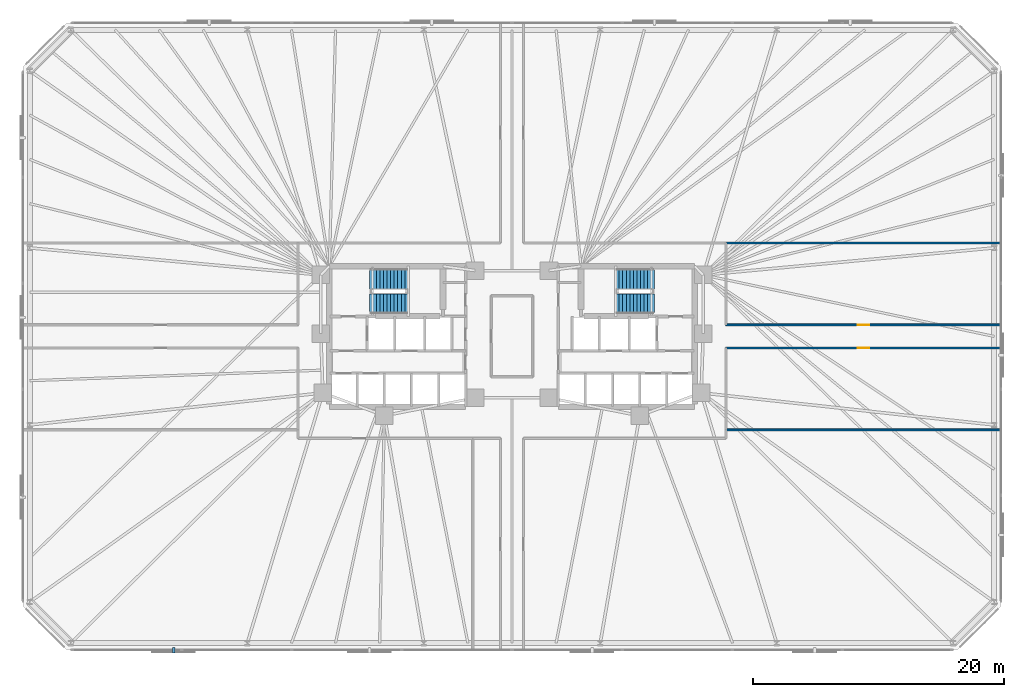
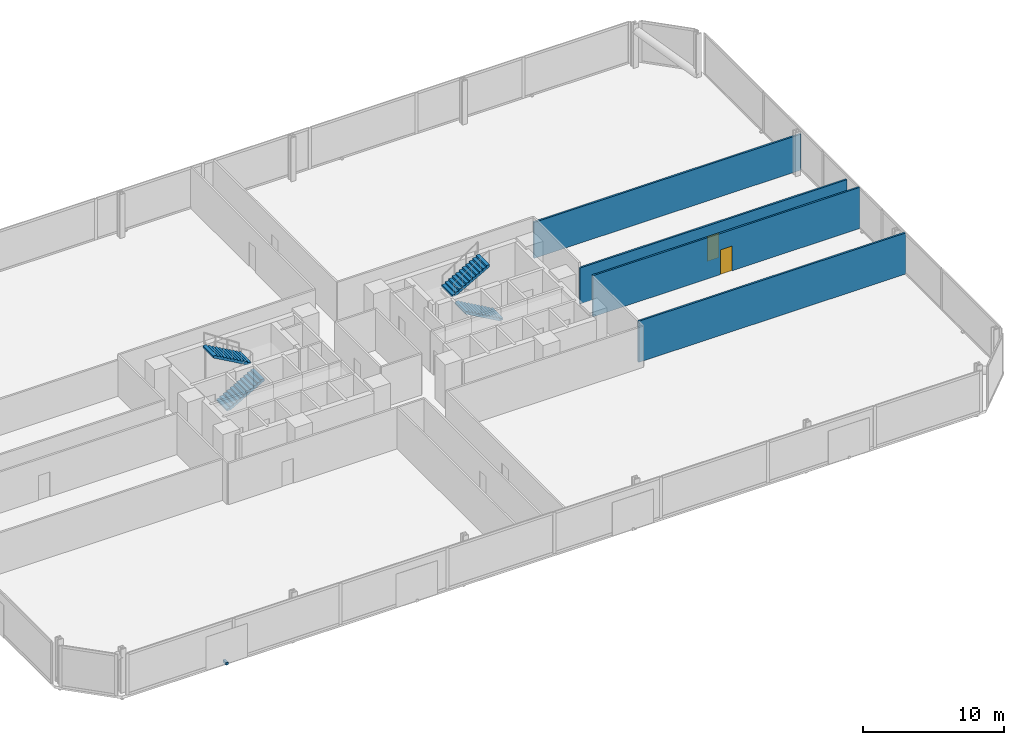
# One storey, part 14 of 16: 4 stair flights, 4 walls, 2 doors, 1 discrete accessory, 2 openings, 2 elements without a shape of their own.
"""IFC4 building model written with IfcOpenShell, lengths in metres."""

import ifcopenshell
import ifcopenshell.guid

model = None  # the IFC model being written
_history = None  # IfcOwnerHistory: only IFC2X3 demands one
_inside = {}  # id of a spatial element -> (the spatial element, [elements in it])
_under = {}  # id of a project, library or spatial element -> (it, [spatial elements below it])
_declared = {}  # id of a project -> (the project, [libraries it declares])
_typed = {}  # id of a type object -> (the type object, [elements of that type])
_made_of = {}  # id of a material, layer set ... -> (it, [elements and type objects made of it])


def new_model(schema):
    """Start an empty IFC model of exactly this schema.

    Asked for "IFC4X3", IfcOpenShell would pick the latest addendum, in which some entities
    have other attributes; the version numbers below select the first issue.
    IFC2X3 requires an IfcOwnerHistory on every rooted entity: one is made here for all.
    """
    global model, _history
    if schema == "IFC4X3":
        model = ifcopenshell.file(schema_version=(4, 3, 0, 0))
    else:
        model = ifcopenshell.file(schema=schema)
    _inside.clear()
    _under.clear()
    _declared.clear()
    _typed.clear()
    _made_of.clear()
    _history = None
    if model.schema == "IFC2X3":
        org = make("IfcOrganization", Name="unknown")
        user = make(
            "IfcPersonAndOrganization",
            ThePerson=make("IfcPerson", FamilyName="unknown"),
            TheOrganization=org,
        )
        app = make(
            "IfcApplication",
            ApplicationDeveloper=org,
            Version="unknown",
            ApplicationFullName="unknown",
            ApplicationIdentifier="unknown",
        )
        _history = make(
            "IfcOwnerHistory",
            OwningUser=user,
            OwningApplication=app,
            ChangeAction="ADDED",
            CreationDate=0,
        )
    return model


def make(cls, **values):
    """One entity of the class cls with the attributes given. An attribute that is None is left unset."""
    return model.create_entity(
        cls, **{name: value for name, value in values.items() if value is not None}
    )


def rooted(cls, **values):
    """An entity with a GlobalId (a new one), such as an element, a storey or a relation."""
    return make(cls, GlobalId=ifcopenshell.guid.new(), OwnerHistory=_history, **values)


def si_unit(unit_type, name, prefix=None):
    """IfcSIUnit, for example si_unit("LENGTHUNIT", "METRE", prefix="MILLI")."""
    return make("IfcSIUnit", UnitType=unit_type, Prefix=prefix, Name=name)


def assignment(units):
    """IfcUnitAssignment: the units of a project."""
    return None if units is None else make("IfcUnitAssignment", Units=units)


def point(xyz):
    """IfcCartesianPoint."""
    return None if xyz is None else make("IfcCartesianPoint", Coordinates=xyz)


def direction(xyz):
    """IfcDirection."""
    return None if xyz is None else make("IfcDirection", DirectionRatios=xyz)


def frame(location, z_axis=None, x_axis=None):
    """IfcAxis2Placement3D, a coordinate frame: its origin and axes. An axis left out is left unset."""
    return make(
        "IfcAxis2Placement3D",
        Location=point(location),
        Axis=direction(z_axis),
        RefDirection=direction(x_axis),
    )


def frame_2d(location, x_axis=None):
    """IfcAxis2Placement2D, a coordinate frame in the plane: its origin and x axis."""
    return make(
        "IfcAxis2Placement2D", Location=point(location), RefDirection=direction(x_axis)
    )


def origin():
    """The frame at (0, 0, 0) with its axes left unset."""
    return frame((0.0, 0.0, 0.0))


def origin_2d():
    """The frame at (0, 0) in the plane with its x axis left unset."""
    return frame_2d((0.0, 0.0))


def place(relative_to, where):
    """IfcLocalPlacement: puts the frame where relative to a parent placement (None: the world)."""
    return make(
        "IfcLocalPlacement", PlacementRelTo=relative_to, RelativePlacement=where
    )


def context(
    kind, dimensions, precision=None, world=None, true_north=None, identifier=None
):
    """IfcGeometricRepresentationContext, for example the 3D "Model" context."""
    return make(
        "IfcGeometricRepresentationContext",
        ContextIdentifier=identifier,
        ContextType=kind,
        CoordinateSpaceDimension=dimensions,
        Precision=precision,
        WorldCoordinateSystem=world,
        TrueNorth=true_north,
    )


def subcontext(parent, identifier, kind, view, scale=None):
    """IfcGeometricRepresentationSubContext, for example "Body" below "Model"."""
    return make(
        "IfcGeometricRepresentationSubContext",
        ContextIdentifier=identifier,
        ContextType=kind,
        ParentContext=parent,
        TargetScale=scale,
        TargetView=view,
    )


def project(units=None, contexts=None):
    """IfcProject with its units and contexts."""
    return rooted(
        "IfcProject",
        Name="project",
        RepresentationContexts=contexts,
        UnitsInContext=assignment(units),
    )


def spatial(cls, under=None, at=None, **own):
    """A site, building, storey or space (cls), placed at a placement, below another one or the project."""
    s = rooted(cls, ObjectPlacement=at, **own)
    if under is not None:
        _under.setdefault(under.id(), (under, []))[1].append(s)
    return s


def polyline(points):
    """IfcPolyline through the points."""
    return make("IfcPolyline", Points=[point(p) for p in points])


def profile(cls, at=None, kind="AREA", **sizes):
    """A parametric profile (cls). Its sizes go by their IFC names, for example OverallWidth=200.0."""
    return make(cls, ProfileType=kind, Position=at, **sizes)


def rectangle(**sizes):
    """IfcRectangleProfileDef."""
    return profile("IfcRectangleProfileDef", **sizes)


def outline(outer, holes=None, kind="AREA"):
    """IfcArbitraryClosedProfileDef: a profile drawn as a closed curve; with holes, ...WithVoids."""
    if holes is None:
        return make("IfcArbitraryClosedProfileDef", ProfileType=kind, OuterCurve=outer)
    return make(
        "IfcArbitraryProfileDefWithVoids",
        ProfileType=kind,
        OuterCurve=outer,
        InnerCurves=holes,
    )


def extrude(swept, where, along, depth):
    """IfcExtrudedAreaSolid: the profile swept, set in the frame where, extruded along a direction by depth."""
    return make(
        "IfcExtrudedAreaSolid",
        SweptArea=swept,
        Position=where,
        ExtrudedDirection=direction(along),
        Depth=depth,
    )


def shape(context_of_items, identifier, shape_type, items):
    """IfcShapeRepresentation: the items that make up one representation, for example the "Body"."""
    return make(
        "IfcShapeRepresentation",
        ContextOfItems=context_of_items,
        RepresentationIdentifier=identifier,
        RepresentationType=shape_type,
        Items=items,
    )


def material(Name=None, Category=None):
    """IfcMaterial."""
    return make("IfcMaterial", Name=Name, Category=Category)


def layer(
    of_material, thickness, ventilated=None, Name=None, Category=None, Priority=None
):
    """IfcMaterialLayer: one layer of a wall or slab, of a material (None: an air gap)."""
    return make(
        "IfcMaterialLayer",
        Material=of_material,
        LayerThickness=thickness,
        IsVentilated=ventilated,
        Name=Name,
        Category=Category,
        Priority=Priority,
    )


def layer_set(layers, Name=None):
    """IfcMaterialLayerSet."""
    return make("IfcMaterialLayerSet", MaterialLayers=layers, LayerSetName=Name)


def made_of(thing, what):
    """Note that an element or type object is made of a material, layer set ...; save() writes the relation."""
    if what is not None:
        _made_of.setdefault(what.id(), (what, []))[1].append(thing)
    return thing


def type_object(cls, material=None, **own):
    """A type object (cls), such as IfcWallType, which elements share."""
    return made_of(rooted(cls, **own), material)


def element(
    cls,
    number,
    at=None,
    inside=None,
    cuts=None,
    type_object=None,
    material=None,
    context=None,
    identifier="Body",
    shape_type=None,
    held_by="IfcProductDefinitionShape",
    body=None,
    shapes=None,
    **own,
):
    """One element of the class cls, such as IfcWall. Its Tag is "e" and its number.

    at: its placement. inside: the storey or other place that contains it. cuts: it is an
    opening in that element (IfcRelVoidsElement). A single representation is given by context,
    identifier, shape_type and body (its items); several are given by shapes. held_by: the class
    of the entity that holds the representations. save() writes the other relations.
    """
    e = rooted(cls, Tag="e%d" % number, ObjectPlacement=at, **own)
    if body is not None:
        shapes = [shape(context, identifier, shape_type, body)]
    if shapes is not None:
        e.Representation = make(held_by, Representations=shapes)
    if inside is not None:
        _inside.setdefault(inside.id(), (inside, []))[1].append(e)
    if cuts is not None:
        rooted(
            "IfcRelVoidsElement", RelatingBuildingElement=cuts, RelatedOpeningElement=e
        )
    if type_object is not None:
        _typed.setdefault(type_object.id(), (type_object, []))[1].append(e)
    return made_of(e, material)


def fill(opening, filler):
    """IfcRelFillsElement: the door or window that sits in an opening."""
    return rooted(
        "IfcRelFillsElement",
        RelatingOpeningElement=opening,
        RelatedBuildingElement=filler,
    )


def aggregate(whole, parts):
    """IfcRelAggregates: a whole, such as a stair, and the parts it consists of."""
    return rooted("IfcRelAggregates", RelatingObject=whole, RelatedObjects=parts)


def save(model, path):
    """Write the relations noted so far, then the file.

    IfcRelAggregates (storeys below a building ...), IfcRelContainedInSpatialStructure (elements
    in a storey), IfcRelDefinesByType, IfcRelAssociatesMaterial and IfcRelDeclares: one each for
    every whole, place, type object, material and project.
    """
    for whole, parts in _under.values():
        aggregate(whole, parts)
    for where, things in _inside.values():
        rooted(
            "IfcRelContainedInSpatialStructure",
            RelatedElements=things,
            RelatingStructure=where,
        )
    for kind, things in _typed.values():
        rooted("IfcRelDefinesByType", RelatedObjects=things, RelatingType=kind)
    for what, things in _made_of.values():
        rooted("IfcRelAssociatesMaterial", RelatedObjects=things, RelatingMaterial=what)
    for by, libraries in _declared.values():
        rooted("IfcRelDeclares", RelatingContext=by, RelatedDefinitions=libraries)
    model.write(path)


model = new_model("IFC4")

# Units and contexts
model_context = context("Model", 3, precision=1e-05, world=origin(), true_north=direction((0.0, 1.0)))
body_context = subcontext(model_context, "Body", "Model", "MODEL_VIEW")
ifc_project = project(units=[si_unit("LENGTHUNIT", "METRE"), si_unit("AREAUNIT", "SQUARE_METRE"), si_unit("VOLUMEUNIT", "CUBIC_METRE"), si_unit("PLANEANGLEUNIT", "RADIAN"), si_unit("MASSUNIT", "GRAM", prefix="KILO")], contexts=[model_context])

# Site, building, storey
site_placement = place(None, origin())
site = spatial("IfcSite", under=ifc_project, at=site_placement, CompositionType="ELEMENT")
building_placement = place(site_placement, origin())
building = spatial("IfcBuilding", under=site, at=building_placement, Name="Menara Jurai Vektor", CompositionType="ELEMENT")
storey_placement = place(building_placement, frame((0.0, 0.0, 14.199951171875)))
storey = spatial("IfcBuildingStorey", under=building, at=storey_placement, Name="L02", CompositionType="ELEMENT", Elevation=14.199951171875)

# Wall, opening, door
ifc_material_1 = material(Name="Gypsum Fireboard Partition", Category="gypsum")
ifc_layer_1 = layer(ifc_material_1, 0.14990234375)
ifc_layer_set_1 = layer_set([ifc_layer_1], Name="Gypsum Fireboard Partition")
wall_type_1 = type_object("IfcWallType", Name="INT-WALL-CORR-150", PredefinedType="PARTITIONING", material=ifc_layer_set_1)
wall_1_placement = place(storey_placement, frame((17.05908203125, -0.919921875, 0.0), z_axis=(0.0, 0.0, 1.0), x_axis=(1.0, 0.0, 0.0)))
wall_1 = element("IfcWall", 1, at=wall_1_placement, inside=storey, type_object=wall_type_1, Name="Interior Wall IW-150 L02", PredefinedType="PARTITIONING", context=body_context, shape_type="SweptSolid", body=[
    extrude(rectangle(XDim=21.94091796875, YDim=0.14990234375, at=frame_2d((10.970458984375, 0.0))), origin(), (0.0, 0.0, 1.0), 3.574951171875),
])
opening_1_placement = place(wall_1_placement, frame((10.49560546875, 0.0, 0.0)))
opening_1 = element("IfcOpeningElement", 2, at=opening_1_placement, cuts=wall_1, Name="Opening D02-12", PredefinedType="OPENING", context=body_context, shape_type="SweptSolid", body=[
    extrude(rectangle(XDim=0.949951171875, YDim=2.14990234375, at=frame_2d((0.47509765625, 1.074951171875))), frame((0.0, 0.0849609375, 0.0), z_axis=(0.0, -1.0, 0.0), x_axis=(1.0, 0.0, 0.0)), (0.0, 0.0, 1.0), 0.169921875),
])
ifc_material_2 = material(Name="Solid Core Timber Fire Door", Category="wood")
door_type = type_object("IfcDoorType", Name="DR-ENTRY-950", OperationType="NOTDEFINED", PredefinedType="DOOR", material=ifc_material_2)
door_1_placement = place(opening_1_placement, origin())
door_1 = element("IfcDoor", 3, at=door_1_placement, inside=storey, type_object=door_type, Name="Interior Door D02-12", OperationType="SINGLE_SWING_LEFT", OverallHeight=2.14990234375, OverallWidth=0.949951171875, PredefinedType="DOOR", context=body_context, shape_type="SweptSolid", body=[
    extrude(rectangle(XDim=0.949951171875, YDim=2.14990234375, at=frame_2d((0.47509765625, 1.074951171875))), frame((0.0, 0.02490234375, 0.0), z_axis=(0.0, -1.0, 0.0), x_axis=(1.0, 0.0, 0.0)), (0.0, 0.0, 1.0), 0.050048828125),
])
fill(opening_1, door_1)

# Wall
wall_2_placement = place(storey_placement, frame((17.05908203125, -7.449951171875, 0.0), z_axis=(0.0, 0.0, 1.0), x_axis=(1.0, 0.0, 0.0)))
element("IfcWall", 4, at=wall_2_placement, inside=storey, type_object=wall_type_1, Name="Interior Wall IW-150 L02", PredefinedType="PARTITIONING", context=body_context, shape_type="SweptSolid", body=[
    extrude(rectangle(XDim=21.94091796875, YDim=0.14990234375, at=frame_2d((10.970458984375, 0.0))), origin(), (0.0, 0.0, 1.0), 3.574951171875),
])

# Wall, opening, door
ifc_layer_2 = layer(ifc_material_1, 0.14990234375)
ifc_layer_set_2 = layer_set([ifc_layer_2], Name="Gypsum Fireboard Partition")
wall_type_2 = type_object("IfcWallType", Name="INT-WALL-CORR-150-H1", PredefinedType="PARTITIONING", material=ifc_layer_set_2)
wall_3_placement = place(storey_placement, frame((17.05908203125, 0.919921875, 0.0), z_axis=(0.0, 0.0, 1.0), x_axis=(1.0, 0.0, 0.0)))
wall_3 = element("IfcWall", 5, at=wall_3_placement, inside=storey, type_object=wall_type_2, Name="Interior Wall IW-150 L02", PredefinedType="PARTITIONING", context=body_context, shape_type="SweptSolid", body=[
    extrude(rectangle(XDim=21.94091796875, YDim=0.14990234375, at=frame_2d((10.970458984375, 0.0))), origin(), (0.0, 0.0, 1.0), 3.125),
])
opening_2_placement = place(wall_3_placement, frame((10.49560546875, 0.0, 0.0)))
opening_2 = element("IfcOpeningElement", 6, at=opening_2_placement, cuts=wall_3, Name="Opening D02-13", PredefinedType="OPENING", context=body_context, shape_type="SweptSolid", body=[
    extrude(rectangle(XDim=0.949951171875, YDim=2.14990234375, at=frame_2d((0.47509765625, 1.074951171875))), frame((0.0, 0.0849609375, 0.0), z_axis=(0.0, -1.0, 0.0), x_axis=(1.0, 0.0, 0.0)), (0.0, 0.0, 1.0), 0.169921875),
])
door_2_placement = place(opening_2_placement, origin())
door_2 = element("IfcDoor", 7, at=door_2_placement, inside=storey, type_object=door_type, Name="Interior Door D02-13", OperationType="SINGLE_SWING_RIGHT", OverallHeight=2.14990234375, OverallWidth=0.949951171875, PredefinedType="DOOR", context=body_context, shape_type="SweptSolid", body=[
    extrude(rectangle(XDim=0.949951171875, YDim=2.14990234375, at=frame_2d((0.47509765625, 1.074951171875))), frame((0.0, 0.02490234375, 0.0), z_axis=(0.0, -1.0, 0.0), x_axis=(1.0, 0.0, 0.0)), (0.0, 0.0, 1.0), 0.050048828125),
])
fill(opening_2, door_2)

# Wall
wall_4_placement = place(storey_placement, frame((17.05908203125, 7.449951171875, 0.0), z_axis=(0.0, 0.0, 1.0), x_axis=(1.0, 0.0, 0.0)))
element("IfcWall", 8, at=wall_4_placement, inside=storey, type_object=wall_type_2, Name="Interior Wall IW-150 L02", PredefinedType="PARTITIONING", context=body_context, shape_type="SweptSolid", body=[
    extrude(rectangle(XDim=21.94091796875, YDim=0.14990234375, at=frame_2d((10.970458984375, 0.0))), origin(), (0.0, 0.0, 1.0), 3.125),
])

# Stair, stair flights
ifc_material_3 = material(Name="Concrete C40/50", Category="concrete")
stair_type = type_object("IfcStairType", Name="STAIR-DOGLEG-1500", PredefinedType="HALF_TURN_STAIR", material=ifc_material_3)
stair_1_placement = place(storey_placement, origin())
stair_1 = element("IfcStair", 9, at=stair_1_placement, inside=storey, type_object=stair_type, Name="Protected Exit Stair ST1 L02", PredefinedType="HALF_TURN_STAIR")
stair_flight_type = type_object("IfcStairFlightType", Name="STAIR-FLIGHT-1500", PredefinedType="STRAIGHT", material=ifc_material_3)
stair_flight_1_placement = place(storey_placement, frame((-11.35009765625, 2.64990234375, 0.0), z_axis=(0.0, 0.0, 1.0), x_axis=(1.0, 0.0, 0.0)))
stair_flight_1 = element("IfcStairFlight", 10, at=stair_flight_1_placement, type_object=stair_flight_type, Name="ST1 flight 1", NumberOfRisers=12, NumberOfTreads=11, PredefinedType="STRAIGHT", RiserHeight=0.158333, TreadLength=0.28, context=body_context, shape_type="SweptSolid", body=[
    extrude(outline(polyline([(0.0, 0.0), (0.0, 0.158447265625), (0.280029296875, 0.158447265625), (0.280029296875, 0.316650390625), (0.56005859375, 0.316650390625), (0.56005859375, 0.47509765625), (0.840087890625, 0.47509765625), (0.840087890625, 0.63330078125), (1.1201171875, 0.63330078125), (1.1201171875, 0.791748046875), (1.39990234375, 0.791748046875), (1.39990234375, 0.949951171875), (1.679931640625, 0.949951171875), (1.679931640625, 1.1083984375), (1.9599609375, 1.1083984375), (1.9599609375, 1.2666015625), (2.239990234375, 1.2666015625), (2.239990234375, 1.425048828125), (2.52001953125, 1.425048828125), (2.52001953125, 1.583251953125), (2.800048828125, 1.583251953125), (2.800048828125, 1.74169921875), (3.080078125, 1.74169921875), (3.080078125, 1.89990234375), (3.080078125, 1.557861328125), (0.324951171875, 0.0), (0.0, 0.0)])), frame((0.0, 0.75, 0.0), z_axis=(0.0, -1.0, 0.0), x_axis=(1.0, 0.0, 0.0)), (0.0, 0.0, 1.0), 1.5),
])
stair_flight_2_placement = place(storey_placement, frame((-8.27001953125, 4.550048828125, 1.900146484375), z_axis=(0.0, 0.0, 1.0), x_axis=(-1.0, 0.0, 0.0)))
stair_flight_2 = element("IfcStairFlight", 11, at=stair_flight_2_placement, type_object=stair_flight_type, Name="ST1 flight 2", NumberOfRisers=12, NumberOfTreads=11, PredefinedType="STRAIGHT", RiserHeight=0.158333, TreadLength=0.28, context=body_context, shape_type="SweptSolid", body=[
    extrude(outline(polyline([(0.0, 0.0), (0.0, 0.158447265625), (0.280029296875, 0.158447265625), (0.280029296875, 0.316650390625), (0.56005859375, 0.316650390625), (0.56005859375, 0.47509765625), (0.840087890625, 0.47509765625), (0.840087890625, 0.63330078125), (1.1201171875, 0.63330078125), (1.1201171875, 0.791748046875), (1.39990234375, 0.791748046875), (1.39990234375, 0.949951171875), (1.679931640625, 0.949951171875), (1.679931640625, 1.1083984375), (1.9599609375, 1.1083984375), (1.9599609375, 1.2666015625), (2.239990234375, 1.2666015625), (2.239990234375, 1.425048828125), (2.52001953125, 1.425048828125), (2.52001953125, 1.583251953125), (2.800048828125, 1.583251953125), (2.800048828125, 1.74169921875), (3.080078125, 1.74169921875), (3.080078125, 1.89990234375), (3.080078125, 1.557861328125), (0.324951171875, 0.0), (0.0, 0.0)])), frame((0.0, 0.75, 0.0), z_axis=(0.0, -1.0, 0.0), x_axis=(1.0, 0.0, 0.0)), (0.0, 0.0, 1.0), 1.5),
])
aggregate(stair_1, [stair_flight_1, stair_flight_2])

stair_2_placement = place(storey_placement, origin())
stair_2 = element("IfcStair", 12, at=stair_2_placement, inside=storey, type_object=stair_type, Name="Protected Exit Stair ST2 L02", PredefinedType="HALF_TURN_STAIR")
stair_flight_3_placement = place(storey_placement, frame((11.35009765625, 2.64990234375, 0.0), z_axis=(0.0, 0.0, 1.0), x_axis=(-1.0, 0.0, 0.0)))
stair_flight_3 = element("IfcStairFlight", 13, at=stair_flight_3_placement, type_object=stair_flight_type, Name="ST2 flight 1", NumberOfRisers=12, NumberOfTreads=11, PredefinedType="STRAIGHT", RiserHeight=0.158333, TreadLength=0.28, context=body_context, shape_type="SweptSolid", body=[
    extrude(outline(polyline([(0.0, 0.0), (0.0, 0.158447265625), (0.280029296875, 0.158447265625), (0.280029296875, 0.316650390625), (0.56005859375, 0.316650390625), (0.56005859375, 0.47509765625), (0.840087890625, 0.47509765625), (0.840087890625, 0.63330078125), (1.1201171875, 0.63330078125), (1.1201171875, 0.791748046875), (1.39990234375, 0.791748046875), (1.39990234375, 0.949951171875), (1.679931640625, 0.949951171875), (1.679931640625, 1.1083984375), (1.9599609375, 1.1083984375), (1.9599609375, 1.2666015625), (2.239990234375, 1.2666015625), (2.239990234375, 1.425048828125), (2.52001953125, 1.425048828125), (2.52001953125, 1.583251953125), (2.800048828125, 1.583251953125), (2.800048828125, 1.74169921875), (3.080078125, 1.74169921875), (3.080078125, 1.89990234375), (3.080078125, 1.557861328125), (0.324951171875, 0.0), (0.0, 0.0)])), frame((0.0, 0.75, 0.0), z_axis=(0.0, -1.0, 0.0), x_axis=(1.0, 0.0, 0.0)), (0.0, 0.0, 1.0), 1.5),
])
stair_flight_4_placement = place(storey_placement, frame((8.27001953125, 4.550048828125, 1.900146484375), z_axis=(0.0, 0.0, 1.0), x_axis=(1.0, 0.0, 0.0)))
stair_flight_4 = element("IfcStairFlight", 14, at=stair_flight_4_placement, type_object=stair_flight_type, Name="ST2 flight 2", NumberOfRisers=12, NumberOfTreads=11, PredefinedType="STRAIGHT", RiserHeight=0.158333, TreadLength=0.28, context=body_context, shape_type="SweptSolid", body=[
    extrude(outline(polyline([(0.0, 0.0), (0.0, 0.158447265625), (0.280029296875, 0.158447265625), (0.280029296875, 0.316650390625), (0.56005859375, 0.316650390625), (0.56005859375, 0.47509765625), (0.840087890625, 0.47509765625), (0.840087890625, 0.63330078125), (1.1201171875, 0.63330078125), (1.1201171875, 0.791748046875), (1.39990234375, 0.791748046875), (1.39990234375, 0.949951171875), (1.679931640625, 0.949951171875), (1.679931640625, 1.1083984375), (1.9599609375, 1.1083984375), (1.9599609375, 1.2666015625), (2.239990234375, 1.2666015625), (2.239990234375, 1.425048828125), (2.52001953125, 1.425048828125), (2.52001953125, 1.583251953125), (2.800048828125, 1.583251953125), (2.800048828125, 1.74169921875), (3.080078125, 1.74169921875), (3.080078125, 1.89990234375), (3.080078125, 1.557861328125), (0.324951171875, 0.0), (0.0, 0.0)])), frame((0.0, 0.75, 0.0), z_axis=(0.0, -1.0, 0.0), x_axis=(1.0, 0.0, 0.0)), (0.0, 0.0, 1.0), 1.5),
])
aggregate(stair_2, [stair_flight_3, stair_flight_4])

# Discrete accessory
ifc_material_4 = material(Name="Steel S355", Category="steel")
discrete_accessory_type = type_object("IfcDiscreteAccessoryType", Name="ENV-ACC-BRACKET", PredefinedType="BRACKET", material=ifc_material_4)
discrete_accessory_placement = place(storey_placement, frame((-26.97998046875, -25.010009765625, -0.1298828125), z_axis=(0.0, 0.0, 1.0), x_axis=(1.0, 0.0, 0.0)))
element("IfcDiscreteAccessory", 15, at=discrete_accessory_placement, inside=storey, type_object=discrete_accessory_type, Name="Solar Screen Stand-Off Bracket L02-S01", PredefinedType="BRACKET", context=body_context, shape_type="SweptSolid", body=[
    extrude(rectangle(XDim=0.179931640625, YDim=0.43994140625, at=origin_2d()), origin(), (0.0, 0.0, 1.0), 0.219970703125),
])

save(model, "model.ifc")
